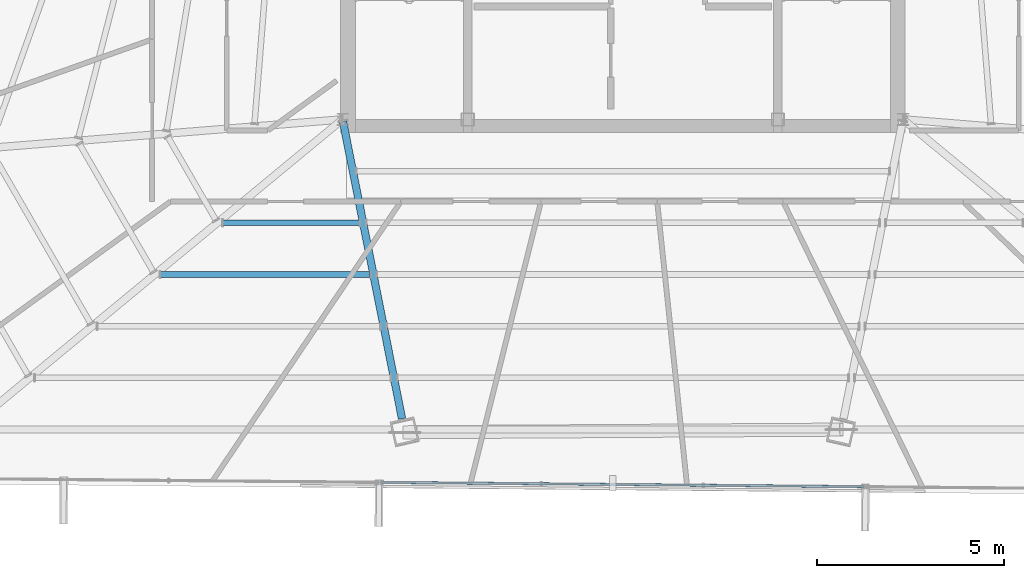
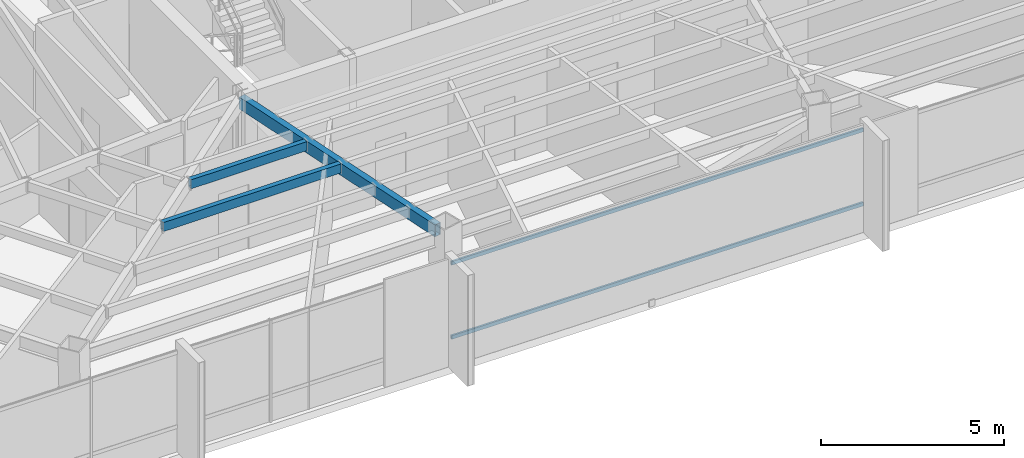
# One storey, part 12 of 45: 3 beams, 2 members, 1 element without a shape of its own.
"""IFC4 building model written with IfcOpenShell, lengths in metres."""

from ifc_helpers import new_model, si_unit, direction, frame, origin, origin_2d, place, context, subcontext, project, spatial, hollow_rectangle, extrude, source, transform, mapped, material, material_profile, profile_set, type_object, type_shapes, element, aggregate, save


model = new_model("IFC4")

# Units and contexts
model_context = context("Model", 3, precision=1e-05, world=origin(), true_north=direction((0.0, 1.0)))
body_context = subcontext(model_context, "Body", "Model", "MODEL_VIEW")
ifc_project = project(units=[si_unit("LENGTHUNIT", "METRE"), si_unit("AREAUNIT", "SQUARE_METRE"), si_unit("VOLUMEUNIT", "CUBIC_METRE"), si_unit("PLANEANGLEUNIT", "RADIAN"), si_unit("MASSUNIT", "GRAM", prefix="KILO")], contexts=[model_context])

# Site, building, storey
site_placement = place(None, origin())
site = spatial("IfcSite", under=ifc_project, at=site_placement, CompositionType="ELEMENT")
building_placement = place(site_placement, origin())
building = spatial("IfcBuilding", under=site, at=building_placement, Name="Caelisora Broadcast Tower", CompositionType="ELEMENT")
storey_placement = place(building_placement, frame((0.0, 0.0, 240.800048828125)))
storey = spatial("IfcBuildingStorey", under=building, at=storey_placement, Name="L63", CompositionType="ELEMENT", Elevation=240.800048828125)

# Beams
ifc_material_1 = material(Name="Steel Grade 350 (AS/NZS 1163 C350L0)", Category="steel")
ifc_material_profile_1 = material_profile(ifc_material_1, hollow_rectangle(XDim=0.199951171875, YDim=0.39990234375, WallThickness=0.012451171875, at=origin_2d()), Name="Steel Grade 350 (AS/NZS 1163 C350L0)")
ifc_profile_set_1 = profile_set([ifc_material_profile_1], Name="Steel Grade 350 (AS/NZS 1163 C350L0)")
beam_type_1 = type_object("IfcBeamType", Name="PG07", PredefinedType="BEAM", material=ifc_profile_set_1)
shared_shape_1 = source(origin(), body_context, "Body", "SweptSolid", [
    extrude(hollow_rectangle(XDim=0.199951171875, YDim=0.39990234375, WallThickness=0.012451171875, at=origin_2d()), origin(), (0.0, 0.0, 1.0), 8.10888671875),
])
type_shapes(beam_type_1, [shared_shape_1])
beam_1_placement = place(storey_placement, frame((30.51171875, 17.341064453125, 3.199951171875), z_axis=(0.194766891731, -0.980849559252, 0.0), x_axis=(0.980849559252, 0.194766891731, 0.0)))
element("IfcBeam", 1, at=beam_1_placement, inside=storey, type_object=beam_type_1, Name="L63 beam PG07", PredefinedType="BEAM", context=body_context, shape_type="MappedRepresentation", body=[
    mapped(shared_shape_1, transform((0.0, 0.0, 0.0), scale=1.0)),
])
ifc_material_profile_2 = material_profile(ifc_material_1, hollow_rectangle(XDim=0.14990234375, YDim=0.300048828125, WallThickness=0.010009765625, at=origin_2d()), Name="Steel Grade 350 (AS/NZS 1163 C350L0)")
ifc_profile_set_2 = profile_set([ifc_material_profile_2], Name="Steel Grade 350 (AS/NZS 1163 C350L0)")
beam_type_2 = type_object("IfcBeamType", Name="SB05", PredefinedType="JOIST", material=ifc_profile_set_2)
shared_shape_2 = source(origin(), body_context, "Body", "SweptSolid", [
    extrude(hollow_rectangle(XDim=0.14990234375, YDim=0.300048828125, WallThickness=0.010009765625, at=origin_2d()), origin(), (0.0, 0.0, 1.0), 3.647705078125),
])
beam_2_placement = place(storey_placement, frame((27.302978515625, 14.631591796875, 3.25), z_axis=(1.0, 0.0, 0.0), x_axis=(0.0, 1.0, 0.0)))
element("IfcBeam", 2, at=beam_2_placement, inside=storey, type_object=beam_type_2, Name="L63 beam SB05", PredefinedType="JOIST", context=body_context, shape_type="MappedRepresentation", body=[
    mapped(shared_shape_2, transform((0.0, 0.0, 0.0), scale=1.0)),
])
shared_shape_3 = source(origin(), body_context, "Body", "SweptSolid", [
    extrude(hollow_rectangle(XDim=0.14990234375, YDim=0.300048828125, WallThickness=0.010009765625, at=origin_2d()), origin(), (0.0, 0.0, 1.0), 5.59814453125),
])
type_shapes(beam_type_2, [shared_shape_2, shared_shape_3])
beam_3_placement = place(storey_placement, frame((25.62744140625, 13.24755859375, 3.25), z_axis=(1.0, 0.0, 0.0), x_axis=(0.0, 1.0, 0.0)))
element("IfcBeam", 3, at=beam_3_placement, inside=storey, type_object=beam_type_2, Name="L63 beam SB05", PredefinedType="JOIST", context=body_context, shape_type="MappedRepresentation", body=[
    mapped(shared_shape_3, transform((0.0, 0.0, 0.0), scale=1.0)),
])

# Curtain wall, members
ifc_material_2 = material(Name="Unitised Aluminium Insulated Shadow-Box Spandrel Curtain Wall", Category="aluminium")
curtain_wall_type = type_object("IfcCurtainWallType", Name="CW-SP3", PredefinedType="NOTDEFINED", material=ifc_material_2)
curtain_wall_placement = place(storey_placement, origin())
curtain_wall = element("IfcCurtainWall", 4, at=curtain_wall_placement, inside=storey, type_object=curtain_wall_type, Name="L63 curtain wall CW-SP3", PredefinedType="NOTDEFINED")
ifc_material_3 = material(Name="Aluminium 6063-T6 Anodised Terracotta Bronze", Category="aluminium")
ifc_material_profile_3 = material_profile(ifc_material_3, hollow_rectangle(XDim=0.06005859375, YDim=0.1201171875, WallThickness=0.0029296875, at=origin_2d()), Name="Aluminium 6063-T6 Anodised Terracotta Bronze")
ifc_profile_set_3 = profile_set([ifc_material_profile_3], Name="Aluminium 6063-T6 Anodised Terracotta Bronze")
member_type = type_object("IfcMemberType", Name="CWT-03", PredefinedType="USERDEFINED", material=ifc_profile_set_3)
shared_shape_4 = source(origin(), body_context, "Body", "SweptSolid", [
    extrude(hollow_rectangle(XDim=0.06005859375, YDim=0.1201171875, WallThickness=0.0029296875, at=origin_2d()), origin(), (0.0, 0.0, 1.0), 12.90869140625),
])
type_shapes(member_type, [shared_shape_4])
member_1_placement = place(storey_placement, frame((44.441650390625, 7.5673828125, 0.849853515625), z_axis=(-0.999959816382, 0.008964687414, 0.0), x_axis=(-0.008964687414, -0.999959816382, 0.0)))
member_1 = element("IfcMember", 5, at=member_1_placement, type_object=member_type, Name="L63-CW-B06 transom #1", ObjectType="TRANSOM", PredefinedType="USERDEFINED", context=body_context, shape_type="MappedRepresentation", body=[
    mapped(shared_shape_4, transform((0.0, 0.0, 0.0), scale=1.0)),
])
member_2_placement = place(storey_placement, frame((44.441650390625, 7.5673828125, 3.320068359375), z_axis=(-0.999959816382, 0.008964687414, 0.0), x_axis=(-0.008964687414, -0.999959816382, 0.0)))
member_2 = element("IfcMember", 6, at=member_2_placement, type_object=member_type, Name="L63-CW-B06 transom #2", ObjectType="TRANSOM", PredefinedType="USERDEFINED", context=body_context, shape_type="MappedRepresentation", body=[
    mapped(shared_shape_4, transform((0.0, 0.0, 0.0), scale=1.0)),
])
aggregate(curtain_wall, [member_1, member_2])

save(model, "model.ifc")
